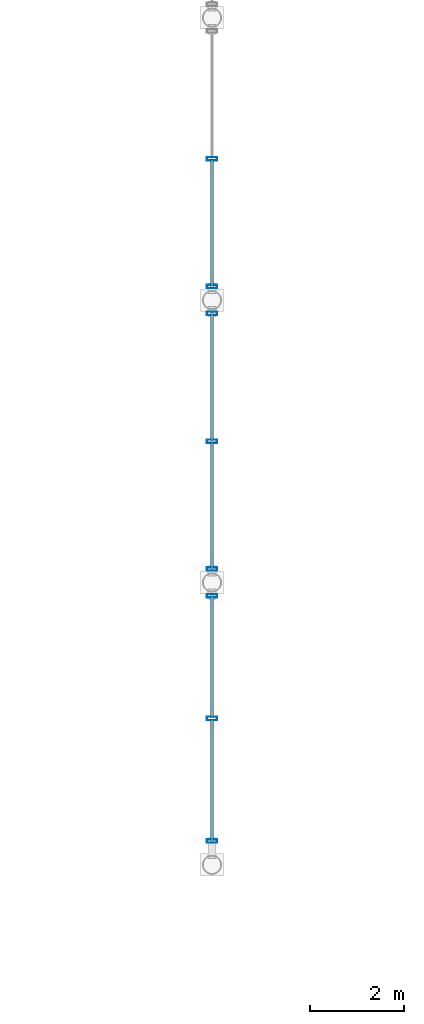
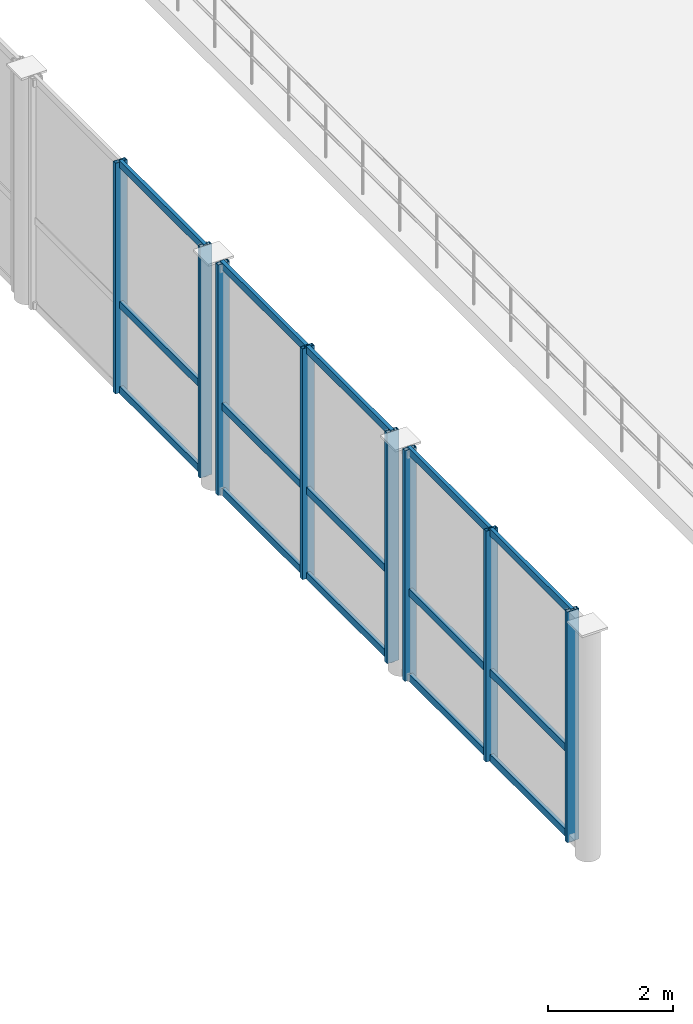
# One storey, part 23 of 116: 23 members, 3 elements without a shape of their own.
"""IFC4 building model written with IfcOpenShell, lengths in metres."""

from ifc_helpers import new_model, si_unit, direction, frame, origin, origin_2d, place, context, subcontext, project, spatial, hollow_rectangle, extrude, material, material_profile, profile_set, type_object, element, aggregate, save


model = new_model("IFC4")

# Units and contexts
model_context = context("Model", 3, precision=1e-05, world=origin(), true_north=direction((0.0, 1.0)))
body_context = subcontext(model_context, "Body", "Model", "MODEL_VIEW")
ifc_project = project(units=[si_unit("LENGTHUNIT", "METRE"), si_unit("AREAUNIT", "SQUARE_METRE"), si_unit("VOLUMEUNIT", "CUBIC_METRE"), si_unit("PLANEANGLEUNIT", "RADIAN"), si_unit("MASSUNIT", "GRAM", prefix="KILO"), si_unit("THERMODYNAMICTEMPERATUREUNIT", "KELVIN"), si_unit("POWERUNIT", "WATT")], contexts=[model_context])

# Site, building, storey
site_placement = place(None, origin())
site = spatial("IfcSite", under=ifc_project, at=site_placement, CompositionType="ELEMENT")
building_placement = place(site_placement, origin())
building = spatial("IfcBuilding", under=site, at=building_placement, Name="Phaisarnlok Congress Hotel", CompositionType="ELEMENT")
storey_placement = place(building_placement, frame((0.0, 0.0, 10.5)))
storey = spatial("IfcBuildingStorey", under=building, at=storey_placement, Name="L02", CompositionType="ELEMENT", Elevation=10.5)

# Curtain wall, members
ifc_material_1 = material(Name="Thermally Broken Unitised Aluminium & Low-E Glazing", Category="aluminium")
curtain_wall_type_1 = type_object("IfcCurtainWallType", Name="CW-UNIT-41", PredefinedType="NOTDEFINED", material=ifc_material_1)
curtain_wall_1_placement = place(storey_placement, origin())
curtain_wall_1 = element("IfcCurtainWall", 1, at=curtain_wall_1_placement, inside=storey, type_object=curtain_wall_type_1, Name="Unitised curtain wall CW-41 (L02)", PredefinedType="NOTDEFINED")
ifc_material_2 = material(Name="Anodised Aluminium Alloy 6063-T6", Category="aluminium")
ifc_material_profile_1 = material_profile(ifc_material_2, hollow_rectangle(XDim=0.074951171875, YDim=0.219970703125, WallThickness=0.0048828125, at=origin_2d()), Name="ALU-M 75x220x5")
ifc_profile_set_1 = profile_set([ifc_material_profile_1], Name="Anodised Aluminium Alloy 6063-T6")
member_type_1 = type_object("IfcMemberType", Name="CWM-220", PredefinedType="MULLION", material=ifc_profile_set_1)
member_1_placement = place(storey_placement, frame((120.0, 53.715087890625, -0.010009765625), z_axis=(0.0, 0.0, 1.0), x_axis=(0.0, -1.0, 0.0)))
member_1 = element("IfcMember", 2, at=member_1_placement, type_object=member_type_1, Name="Curtain wall mullion CWM-02", PredefinedType="MULLION", context=body_context, shape_type="SweptSolid", body=[
    extrude(hollow_rectangle(XDim=0.074951171875, YDim=0.219970703125, WallThickness=0.0048828125, at=origin_2d()), origin(), (0.0, 0.0, 1.0), 4.52001953125),
])
member_2_placement = place(storey_placement, frame((120.0, 51.110107421875, -0.010009765625), z_axis=(0.0, 0.0, 1.0), x_axis=(0.0, -1.0, 0.0)))
member_2 = element("IfcMember", 3, at=member_2_placement, type_object=member_type_1, Name="Curtain wall mullion CWM-02", PredefinedType="MULLION", context=body_context, shape_type="SweptSolid", body=[
    extrude(hollow_rectangle(XDim=0.074951171875, YDim=0.219970703125, WallThickness=0.0048828125, at=origin_2d()), origin(), (0.0, 0.0, 1.0), 4.52001953125),
])
member_3_placement = place(storey_placement, frame((120.0, 48.5048828125, -0.010009765625), z_axis=(0.0, 0.0, 1.0), x_axis=(0.0, -1.0, 0.0)))
member_3 = element("IfcMember", 4, at=member_3_placement, type_object=member_type_1, Name="Curtain wall mullion CWM-02", PredefinedType="MULLION", context=body_context, shape_type="SweptSolid", body=[
    extrude(hollow_rectangle(XDim=0.074951171875, YDim=0.219970703125, WallThickness=0.0048828125, at=origin_2d()), origin(), (0.0, 0.0, 1.0), 4.52001953125),
])

curtain_wall_type_2 = type_object("IfcCurtainWallType", Name="CW-UNIT-44", PredefinedType="NOTDEFINED", material=ifc_material_1)
curtain_wall_2_placement = place(storey_placement, origin())
curtain_wall_2 = element("IfcCurtainWall", 5, at=curtain_wall_2_placement, inside=storey, type_object=curtain_wall_type_2, Name="Unitised curtain wall CW-44 (L02)", PredefinedType="NOTDEFINED")
member_4_placement = place(storey_placement, frame((120.0, 59.715087890625, -0.010009765625), z_axis=(0.0, 0.0, 1.0), x_axis=(0.0, -1.0, 0.0)))
member_4 = element("IfcMember", 6, at=member_4_placement, type_object=member_type_1, Name="Curtain wall mullion CWM-02", PredefinedType="MULLION", context=body_context, shape_type="SweptSolid", body=[
    extrude(hollow_rectangle(XDim=0.074951171875, YDim=0.219970703125, WallThickness=0.0048828125, at=origin_2d()), origin(), (0.0, 0.0, 1.0), 4.52001953125),
])
member_5_placement = place(storey_placement, frame((120.0, 57.0, -0.010009765625), z_axis=(0.0, 0.0, 1.0), x_axis=(0.0, -1.0, 0.0)))
member_5 = element("IfcMember", 7, at=member_5_placement, type_object=member_type_1, Name="Curtain wall mullion CWM-02", PredefinedType="MULLION", context=body_context, shape_type="SweptSolid", body=[
    extrude(hollow_rectangle(XDim=0.074951171875, YDim=0.219970703125, WallThickness=0.0048828125, at=origin_2d()), origin(), (0.0, 0.0, 1.0), 4.52001953125),
])
member_6_placement = place(storey_placement, frame((120.0, 54.284912109375, -0.010009765625), z_axis=(0.0, 0.0, 1.0), x_axis=(0.0, -1.0, 0.0)))
member_6 = element("IfcMember", 8, at=member_6_placement, type_object=member_type_1, Name="Curtain wall mullion CWM-02", PredefinedType="MULLION", context=body_context, shape_type="SweptSolid", body=[
    extrude(hollow_rectangle(XDim=0.074951171875, YDim=0.219970703125, WallThickness=0.0048828125, at=origin_2d()), origin(), (0.0, 0.0, 1.0), 4.52001953125),
])

curtain_wall_3_placement = place(storey_placement, origin())
curtain_wall_3 = element("IfcCurtainWall", 9, at=curtain_wall_3_placement, inside=storey, type_object=curtain_wall_type_2, Name="Unitised curtain wall CW-44 (L02)", PredefinedType="NOTDEFINED")
member_7_placement = place(storey_placement, frame((120.0, 63.0, -0.010009765625), z_axis=(0.0, 0.0, 1.0), x_axis=(0.0, -1.0, 0.0)))
member_7 = element("IfcMember", 10, at=member_7_placement, type_object=member_type_1, Name="Curtain wall mullion CWM-02", PredefinedType="MULLION", context=body_context, shape_type="SweptSolid", body=[
    extrude(hollow_rectangle(XDim=0.074951171875, YDim=0.219970703125, WallThickness=0.0048828125, at=origin_2d()), origin(), (0.0, 0.0, 1.0), 4.52001953125),
])
member_8_placement = place(storey_placement, frame((120.0, 60.284912109375, -0.010009765625), z_axis=(0.0, 0.0, 1.0), x_axis=(0.0, -1.0, 0.0)))
member_8 = element("IfcMember", 11, at=member_8_placement, type_object=member_type_1, Name="Curtain wall mullion CWM-02", PredefinedType="MULLION", context=body_context, shape_type="SweptSolid", body=[
    extrude(hollow_rectangle(XDim=0.074951171875, YDim=0.219970703125, WallThickness=0.0048828125, at=origin_2d()), origin(), (0.0, 0.0, 1.0), 4.52001953125),
])

# Member
ifc_material_profile_2 = material_profile(ifc_material_2, hollow_rectangle(XDim=0.06494140625, YDim=0.139892578125, WallThickness=0.00390625, at=origin_2d()), Name="ALU-T 65x140x4")
ifc_profile_set_2 = profile_set([ifc_material_profile_2], Name="Anodised Aluminium Alloy 6063-T6")
member_type_2 = type_object("IfcMemberType", Name="CWT-150", PredefinedType="USERDEFINED", material=ifc_profile_set_2)
member_9_placement = place(storey_placement, frame((120.0, 53.739990234375, 0.0400390625), z_axis=(0.0, -1.0, 0.0), x_axis=(1.0, 0.0, 0.0)))
member_9 = element("IfcMember", 12, at=member_9_placement, type_object=member_type_2, Name="Curtain wall transom CWT-01", ObjectType="TRANSOM", PredefinedType="USERDEFINED", context=body_context, shape_type="SweptSolid", body=[
    extrude(hollow_rectangle(XDim=0.06494140625, YDim=0.139892578125, WallThickness=0.00390625, at=origin_2d()), origin(), (0.0, 0.0, 1.0), 2.614990234375),
])

member_10_placement = place(storey_placement, frame((120.0, 53.739990234375, 1.70751953125), z_axis=(0.0, -1.0, 0.0), x_axis=(1.0, 0.0, 0.0)))
member_10 = element("IfcMember", 13, at=member_10_placement, type_object=member_type_2, Name="Curtain wall transom CWT-01", ObjectType="TRANSOM", PredefinedType="USERDEFINED", context=body_context, shape_type="SweptSolid", body=[
    extrude(hollow_rectangle(XDim=0.06494140625, YDim=0.139892578125, WallThickness=0.00390625, at=origin_2d()), origin(), (0.0, 0.0, 1.0), 2.614990234375),
])

member_11_placement = place(storey_placement, frame((120.0, 53.739990234375, 4.4599609375), z_axis=(0.0, -1.0, 0.0), x_axis=(1.0, 0.0, 0.0)))
member_11 = element("IfcMember", 14, at=member_11_placement, type_object=member_type_2, Name="Curtain wall transom CWT-01", ObjectType="TRANSOM", PredefinedType="USERDEFINED", context=body_context, shape_type="SweptSolid", body=[
    extrude(hollow_rectangle(XDim=0.06494140625, YDim=0.139892578125, WallThickness=0.00390625, at=origin_2d()), origin(), (0.0, 0.0, 1.0), 2.614990234375),
])

member_12_placement = place(storey_placement, frame((120.0, 51.094970703125, 0.0400390625), z_axis=(0.0, -1.0, 0.0), x_axis=(1.0, 0.0, 0.0)))
member_12 = element("IfcMember", 15, at=member_12_placement, type_object=member_type_2, Name="Curtain wall transom CWT-01", ObjectType="TRANSOM", PredefinedType="USERDEFINED", context=body_context, shape_type="SweptSolid", body=[
    extrude(hollow_rectangle(XDim=0.06494140625, YDim=0.139892578125, WallThickness=0.00390625, at=origin_2d()), origin(), (0.0, 0.0, 1.0), 2.614990234375),
])

member_13_placement = place(storey_placement, frame((120.0, 51.094970703125, 1.70751953125), z_axis=(0.0, -1.0, 0.0), x_axis=(1.0, 0.0, 0.0)))
member_13 = element("IfcMember", 16, at=member_13_placement, type_object=member_type_2, Name="Curtain wall transom CWT-01", ObjectType="TRANSOM", PredefinedType="USERDEFINED", context=body_context, shape_type="SweptSolid", body=[
    extrude(hollow_rectangle(XDim=0.06494140625, YDim=0.139892578125, WallThickness=0.00390625, at=origin_2d()), origin(), (0.0, 0.0, 1.0), 2.614990234375),
])

member_14_placement = place(storey_placement, frame((120.0, 51.094970703125, 4.4599609375), z_axis=(0.0, -1.0, 0.0), x_axis=(1.0, 0.0, 0.0)))
member_14 = element("IfcMember", 17, at=member_14_placement, type_object=member_type_2, Name="Curtain wall transom CWT-01", ObjectType="TRANSOM", PredefinedType="USERDEFINED", context=body_context, shape_type="SweptSolid", body=[
    extrude(hollow_rectangle(XDim=0.06494140625, YDim=0.139892578125, WallThickness=0.00390625, at=origin_2d()), origin(), (0.0, 0.0, 1.0), 2.614990234375),
])

aggregate(curtain_wall_1, [member_1, member_2, member_3, member_9, member_10, member_11, member_12, member_13, member_14])

member_15_placement = place(storey_placement, frame((120.0, 59.739990234375, 0.0400390625), z_axis=(0.0, -1.0, 0.0), x_axis=(1.0, 0.0, 0.0)))
member_15 = element("IfcMember", 18, at=member_15_placement, type_object=member_type_2, Name="Curtain wall transom CWT-01", ObjectType="TRANSOM", PredefinedType="USERDEFINED", context=body_context, shape_type="SweptSolid", body=[
    extrude(hollow_rectangle(XDim=0.06494140625, YDim=0.139892578125, WallThickness=0.00390625, at=origin_2d()), origin(), (0.0, 0.0, 1.0), 2.72509765625),
])

member_16_placement = place(storey_placement, frame((120.0, 59.739990234375, 1.70751953125), z_axis=(0.0, -1.0, 0.0), x_axis=(1.0, 0.0, 0.0)))
member_16 = element("IfcMember", 19, at=member_16_placement, type_object=member_type_2, Name="Curtain wall transom CWT-01", ObjectType="TRANSOM", PredefinedType="USERDEFINED", context=body_context, shape_type="SweptSolid", body=[
    extrude(hollow_rectangle(XDim=0.06494140625, YDim=0.139892578125, WallThickness=0.00390625, at=origin_2d()), origin(), (0.0, 0.0, 1.0), 2.72509765625),
])

member_17_placement = place(storey_placement, frame((120.0, 59.739990234375, 4.4599609375), z_axis=(0.0, -1.0, 0.0), x_axis=(1.0, 0.0, 0.0)))
member_17 = element("IfcMember", 20, at=member_17_placement, type_object=member_type_2, Name="Curtain wall transom CWT-01", ObjectType="TRANSOM", PredefinedType="USERDEFINED", context=body_context, shape_type="SweptSolid", body=[
    extrude(hollow_rectangle(XDim=0.06494140625, YDim=0.139892578125, WallThickness=0.00390625, at=origin_2d()), origin(), (0.0, 0.0, 1.0), 2.72509765625),
])

member_18_placement = place(storey_placement, frame((120.0, 56.985107421875, 0.0400390625), z_axis=(0.0, -1.0, 0.0), x_axis=(1.0, 0.0, 0.0)))
member_18 = element("IfcMember", 21, at=member_18_placement, type_object=member_type_2, Name="Curtain wall transom CWT-01", ObjectType="TRANSOM", PredefinedType="USERDEFINED", context=body_context, shape_type="SweptSolid", body=[
    extrude(hollow_rectangle(XDim=0.06494140625, YDim=0.139892578125, WallThickness=0.00390625, at=origin_2d()), origin(), (0.0, 0.0, 1.0), 2.72509765625),
])

member_19_placement = place(storey_placement, frame((120.0, 56.985107421875, 1.70751953125), z_axis=(0.0, -1.0, 0.0), x_axis=(1.0, 0.0, 0.0)))
member_19 = element("IfcMember", 22, at=member_19_placement, type_object=member_type_2, Name="Curtain wall transom CWT-01", ObjectType="TRANSOM", PredefinedType="USERDEFINED", context=body_context, shape_type="SweptSolid", body=[
    extrude(hollow_rectangle(XDim=0.06494140625, YDim=0.139892578125, WallThickness=0.00390625, at=origin_2d()), origin(), (0.0, 0.0, 1.0), 2.72509765625),
])

member_20_placement = place(storey_placement, frame((120.0, 56.985107421875, 4.4599609375), z_axis=(0.0, -1.0, 0.0), x_axis=(1.0, 0.0, 0.0)))
member_20 = element("IfcMember", 23, at=member_20_placement, type_object=member_type_2, Name="Curtain wall transom CWT-01", ObjectType="TRANSOM", PredefinedType="USERDEFINED", context=body_context, shape_type="SweptSolid", body=[
    extrude(hollow_rectangle(XDim=0.06494140625, YDim=0.139892578125, WallThickness=0.00390625, at=origin_2d()), origin(), (0.0, 0.0, 1.0), 2.72509765625),
])

aggregate(curtain_wall_2, [member_4, member_5, member_6, member_15, member_16, member_17, member_18, member_19, member_20])

member_21_placement = place(storey_placement, frame((120.0, 62.985107421875, 0.0400390625), z_axis=(0.0, -1.0, 0.0), x_axis=(1.0, 0.0, 0.0)))
member_21 = element("IfcMember", 24, at=member_21_placement, type_object=member_type_2, Name="Curtain wall transom CWT-01", ObjectType="TRANSOM", PredefinedType="USERDEFINED", context=body_context, shape_type="SweptSolid", body=[
    extrude(hollow_rectangle(XDim=0.06494140625, YDim=0.139892578125, WallThickness=0.00390625, at=origin_2d()), origin(), (0.0, 0.0, 1.0), 2.72509765625),
])

member_22_placement = place(storey_placement, frame((120.0, 62.985107421875, 1.70751953125), z_axis=(0.0, -1.0, 0.0), x_axis=(1.0, 0.0, 0.0)))
member_22 = element("IfcMember", 25, at=member_22_placement, type_object=member_type_2, Name="Curtain wall transom CWT-01", ObjectType="TRANSOM", PredefinedType="USERDEFINED", context=body_context, shape_type="SweptSolid", body=[
    extrude(hollow_rectangle(XDim=0.06494140625, YDim=0.139892578125, WallThickness=0.00390625, at=origin_2d()), origin(), (0.0, 0.0, 1.0), 2.72509765625),
])

member_23_placement = place(storey_placement, frame((120.0, 62.985107421875, 4.4599609375), z_axis=(0.0, -1.0, 0.0), x_axis=(1.0, 0.0, 0.0)))
member_23 = element("IfcMember", 26, at=member_23_placement, type_object=member_type_2, Name="Curtain wall transom CWT-01", ObjectType="TRANSOM", PredefinedType="USERDEFINED", context=body_context, shape_type="SweptSolid", body=[
    extrude(hollow_rectangle(XDim=0.06494140625, YDim=0.139892578125, WallThickness=0.00390625, at=origin_2d()), origin(), (0.0, 0.0, 1.0), 2.72509765625),
])

aggregate(curtain_wall_3, [member_7, member_8, member_21, member_22, member_23])

save(model, "model.ifc")
